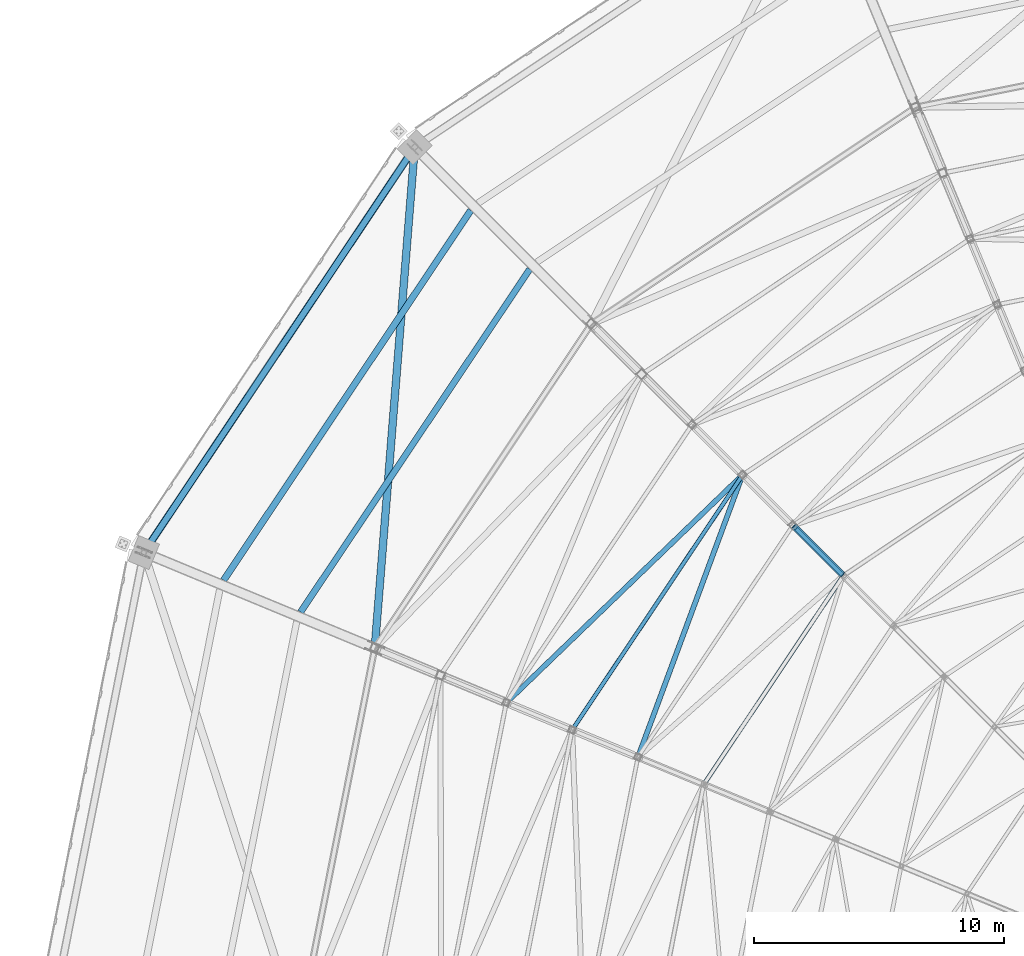
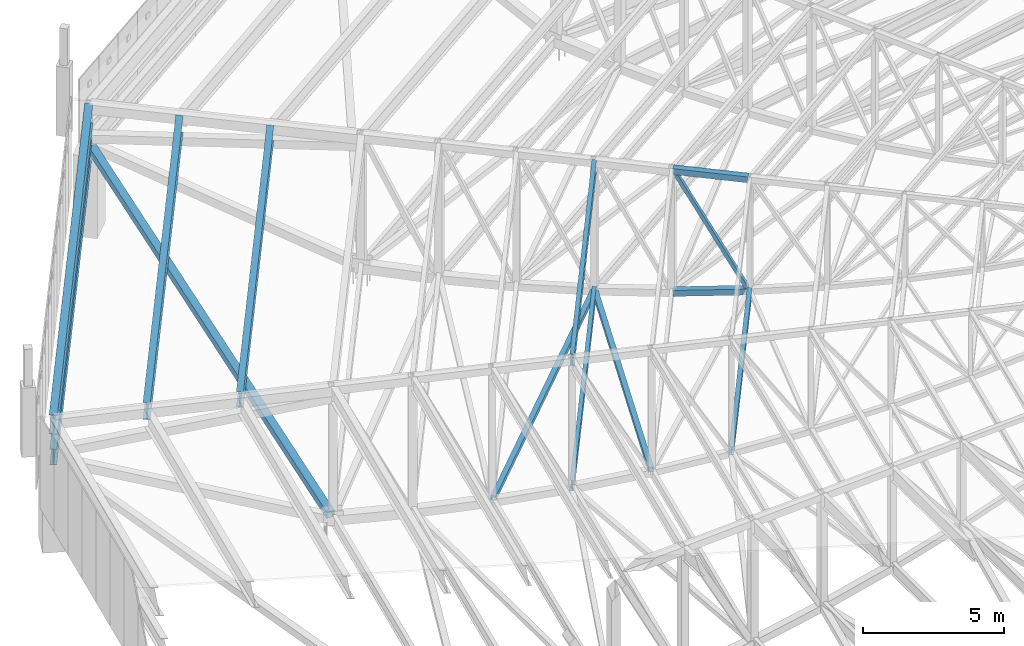
# One storey, part 69 of 278: 11 members, 2 beams.
"""IFC4 building model written with IfcOpenShell, lengths in metres."""

from ifc_helpers import new_model, si_unit, direction, frame, origin, origin_2d, place, context, subcontext, project, spatial, hollow_rectangle, i_section, extrude, material, material_profile, profile_set, type_object, element, save


model = new_model("IFC4")

# Units and contexts
model_context = context("Model", 3, precision=1e-05, world=origin(), true_north=direction((0.0, 1.0)))
body_context = subcontext(model_context, "Body", "Model", "MODEL_VIEW")
ifc_project = project(units=[si_unit("LENGTHUNIT", "METRE"), si_unit("AREAUNIT", "SQUARE_METRE"), si_unit("VOLUMEUNIT", "CUBIC_METRE"), si_unit("PLANEANGLEUNIT", "RADIAN"), si_unit("MASSUNIT", "GRAM", prefix="KILO")], contexts=[model_context])

# Site, building, storey
site_placement = place(None, origin())
site = spatial("IfcSite", under=ifc_project, at=site_placement, CompositionType="ELEMENT")
building_placement = place(site_placement, origin())
building = spatial("IfcBuilding", under=site, at=building_placement, Name="Ogive Plaza Stadium", CompositionType="ELEMENT")
storey_placement = place(building_placement, frame((0.0, 0.0, 29.0)))
storey = spatial("IfcBuildingStorey", under=building, at=storey_placement, Name="Roof", CompositionType="ELEMENT", Elevation=29.0)

# Members
ifc_material_1 = material(Name="Steel ASTM A500 Grade C", Category="steel")
ifc_material_profile_1 = material_profile(ifc_material_1, hollow_rectangle(XDim=0.3046875, YDim=0.3046875, WallThickness=0.0087890625, at=origin_2d()), Name="HSS12X12X3/8")
ifc_profile_set_1 = profile_set([ifc_material_profile_1], Name="Steel ASTM A500 Grade C")
member_type_1 = type_object("IfcMemberType", Name="Roof plan brace HSS12X12X3/8", PredefinedType="BRACE", material=ifc_profile_set_1)
member_1_placement = place(storey_placement, frame((-70.94091796875, 67.986328125, 0.234130859375), z_axis=(0.078381095725, 0.982279512354, 0.170245010036), x_axis=(-0.99683149372, 0.07954227259, 0.0)))
element("IfcMember", 1, at=member_1_placement, inside=storey, type_object=member_type_1, Name="ROOF BRACE B29 11", PredefinedType="BRACE", context=body_context, shape_type="SweptSolid", body=[
    extrude(hollow_rectangle(XDim=0.3046875, YDim=0.3046875, WallThickness=0.0087890625, at=origin_2d()), origin(), (0.0, 0.0, 1.0), 19.99072265625),
])
ifc_material_2 = material(Name="Steel ASTM A500 Grade C", Category="steel")
ifc_material_profile_2 = material_profile(ifc_material_2, hollow_rectangle(XDim=0.203125, YDim=0.203125, WallThickness=0.0087890625, at=origin_2d()), Name="HSS8X8X3/8")
ifc_profile_set_2 = profile_set([ifc_material_profile_2], Name="Steel ASTM A500 Grade C")
member_type_2 = type_object("IfcMemberType", Name="Roof plan brace HSS8X8X3/8", PredefinedType="BRACE", material=ifc_profile_set_2)
member_2_placement = place(storey_placement, frame((-60.387939453125, 63.539306640625, 1.176513671875), z_axis=(0.347181209149, 0.937056013796, -0.037299263035), x_axis=(-0.937708527297, 0.347422966763, 0.0)))
element("IfcMember", 2, at=member_2_placement, inside=storey, type_object=member_type_2, Name="ROOF BRACE B29 7", PredefinedType="BRACE", context=body_context, shape_type="SweptSolid", body=[
    extrude(hollow_rectangle(XDim=0.203125, YDim=0.203125, WallThickness=0.0087890625, at=origin_2d()), origin(), (0.0, 0.0, 1.0), 11.794921875),
])
member_3_placement = place(storey_placement, frame((-56.3095703125, 74.669921875, 0.728515625), z_axis=(-0.719689863912, -0.693929788979, -0.02253769617), x_axis=(0.694106096185, -0.719872715998, 0.0)))
element("IfcMember", 3, at=member_3_placement, inside=storey, type_object=member_type_2, Name="ROOF BRACE B29 8", PredefinedType="BRACE", context=body_context, shape_type="SweptSolid", body=[
    extrude(hollow_rectangle(XDim=0.203125, YDim=0.203125, WallThickness=0.0087890625, at=origin_2d()), origin(), (0.0, 0.0, 1.0), 12.8798828125),
])
ifc_material_3 = material(Name="Steel ASTM A992 Grade 50", Category="steel")
ifc_material_profile_3 = material_profile(ifc_material_3, i_section(OverallWidth=0.17138671875, OverallDepth=0.35498046875, WebThickness=0.00732421875, FlangeThickness=0.011474609375, at=origin_2d()), Name="W14X34")
ifc_profile_set_3 = profile_set([ifc_material_profile_3], Name="Steel ASTM A992 Grade 50")
member_type_3 = type_object("IfcMemberType", Name="Roof plan strut W14X34", PredefinedType="STRUT", material=ifc_profile_set_3)
member_4_placement = place(storey_placement, frame((-57.739501953125, 62.429443359375, 1.733154296875), z_axis=(0.55557361639, 0.831467351597, 0.0), x_axis=(-0.831467351597, 0.55557361639, 0.0)))
element("IfcMember", 4, at=member_4_placement, inside=storey, type_object=member_type_3, Name="ROOF STRUT B29 5", PredefinedType="STRUT", context=body_context, shape_type="SweptSolid", body=[
    extrude(i_section(OverallWidth=0.17138671875, OverallDepth=0.35498046875, WebThickness=0.00732421875, FlangeThickness=0.011474609375, at=origin_2d()), origin(), (0.0, 0.0, 1.0), 9.86572265625),
])
ifc_material_4 = material(Name="Steel ASTM A992 Grade 50", Category="steel")
ifc_material_profile_4 = material_profile(ifc_material_4, i_section(OverallWidth=0.15234375, OverallDepth=0.449462890625, WebThickness=0.007568359375, FlangeThickness=0.0107421875, at=origin_2d()), Name="W18X35")
ifc_profile_set_4 = profile_set([ifc_material_profile_4], Name="Steel ASTM A992 Grade 50")
member_type_4 = type_object("IfcMemberType", Name="Roof plan strut W18X35", PredefinedType="STRUT", material=ifc_profile_set_4)
member_5_placement = place(storey_placement, frame((-62.992431640625, 64.630615234375, 0.730712890625), z_axis=(0.555574800687, 0.831466560266, 0.0), x_axis=(-0.831466560266, 0.555574800687, 0.0)))
element("IfcMember", 5, at=member_5_placement, inside=storey, type_object=member_type_4, Name="ROOF STRUT B29 7", PredefinedType="STRUT", context=body_context, shape_type="SweptSolid", body=[
    extrude(i_section(OverallWidth=0.15234375, OverallDepth=0.449462890625, WebThickness=0.007568359375, FlangeThickness=0.0107421875, at=origin_2d()), origin(), (0.0, 0.0, 1.0), 12.0419921875),
])
ifc_material_5 = material(Name="Steel ASTM A992 Grade 50", Category="steel")
ifc_material_profile_5 = material_profile(ifc_material_5, i_section(OverallWidth=0.2529296875, OverallDepth=0.678466796875, WebThickness=0.01171875, FlangeThickness=0.016357421875, at=origin_2d()), Name="W27X84")
ifc_profile_set_5 = profile_set([ifc_material_profile_5], Name="Steel ASTM A992 Grade 50")
member_type_5 = type_object("IfcMemberType", Name="Roof plan strut W27X84", PredefinedType="STRUT", material=ifc_profile_set_5)
member_6_placement = place(storey_placement, frame((-80.13916015625, 71.71630859375, 3.677734375), z_axis=(0.555575120146, 0.831466346809, 0.0), x_axis=(-0.831466346809, 0.555575120146, 0.0)))
element("IfcMember", 6, at=member_6_placement, inside=storey, type_object=member_type_5, Name="ROOF STRUT B29 11", PredefinedType="STRUT", context=body_context, shape_type="SweptSolid", body=[
    extrude(i_section(OverallWidth=0.2529296875, OverallDepth=0.678466796875, WebThickness=0.01171875, FlangeThickness=0.016357421875, at=origin_2d()), origin(), (0.0, 0.0, 1.0), 19.3115234375),
])
ifc_material_6 = material(Name="Steel ASTM A992 Grade 50", Category="steel")
ifc_material_profile_6 = material_profile(ifc_material_6, i_section(OverallWidth=0.1650390625, OverallDepth=0.524658203125, WebThickness=0.0087890625, FlangeThickness=0.011474609375, at=origin_2d()), Name="W21X44")
ifc_profile_set_6 = profile_set([ifc_material_profile_6], Name="Steel ASTM A992 Grade 50")
member_type_6 = type_object("IfcMemberType", Name="Roof purlin W21X44", PredefinedType="PURLIN", material=ifc_profile_set_6)
member_7_placement = place(storey_placement, frame((-62.99169921875, 64.6318359375, 6.1650390625), z_axis=(0.555574992462, 0.831466432125, 0.0), x_axis=(-0.831466432125, 0.555574992462, 0.0)))
element("IfcMember", 7, at=member_7_placement, inside=storey, type_object=member_type_6, Name="ROOF PURLIN B29 7", PredefinedType="PURLIN", context=body_context, shape_type="SweptSolid", body=[
    extrude(i_section(OverallWidth=0.1650390625, OverallDepth=0.524658203125, WebThickness=0.0087890625, FlangeThickness=0.011474609375, at=origin_2d()), origin(), (0.0, 0.0, 1.0), 12.039306640625),
])
ifc_material_7 = material(Name="Steel ASTM A992 Grade 50", Category="steel")
ifc_material_profile_7 = material_profile(ifc_material_7, i_section(OverallWidth=0.2529296875, OverallDepth=0.678466796875, WebThickness=0.01171875, FlangeThickness=0.016357421875, at=origin_2d()), Name="W27X84")
ifc_profile_set_7 = profile_set([ifc_material_profile_7], Name="Steel ASTM A992 Grade 50")
member_type_7 = type_object("IfcMemberType", Name="Roof purlin W27X84", PredefinedType="PURLIN", material=ifc_profile_set_7)
member_8_placement = place(storey_placement, frame((-73.92236328125, 69.251220703125, 5.494140625), z_axis=(0.555570434046, 0.831469477981, 0.0), x_axis=(-0.831469477981, 0.555570434046, 0.0)))
element("IfcMember", 8, at=member_8_placement, inside=storey, type_object=member_type_7, Name="ROOF PURLIN B29 11", PredefinedType="PURLIN", context=body_context, shape_type="SweptSolid", body=[
    extrude(i_section(OverallWidth=0.2529296875, OverallDepth=0.678466796875, WebThickness=0.01171875, FlangeThickness=0.016357421875, at=origin_2d()), origin(), (0.0, 0.0, 1.0), 16.503173828125),
])
ifc_material_8 = material(Name="Steel ASTM A992 Grade 50", Category="steel")
ifc_material_profile_8 = material_profile(ifc_material_8, i_section(OverallWidth=0.26416015625, OverallDepth=0.75, WebThickness=0.011962890625, FlangeThickness=0.015380859375, at=origin_2d()), Name="W30X90")
ifc_profile_set_8 = profile_set([ifc_material_profile_8], Name="Steel ASTM A992 Grade 50")
member_type_8 = type_object("IfcMemberType", Name="Roof purlin W30X90", PredefinedType="PURLIN", material=ifc_profile_set_8)
member_9_placement = place(storey_placement, frame((-77.00146484375, 70.52783203125, 5.291748046875), z_axis=(0.555579732472, 0.831463264893, 0.0), x_axis=(-0.831463264893, 0.555579732472, 0.0)))
element("IfcMember", 9, at=member_9_placement, inside=storey, type_object=member_type_8, Name="ROOF PURLIN B29 12", PredefinedType="PURLIN", context=body_context, shape_type="SweptSolid", body=[
    extrude(i_section(OverallWidth=0.26416015625, OverallDepth=0.75, WebThickness=0.011962890625, FlangeThickness=0.015380859375, at=origin_2d()), origin(), (0.0, 0.0, 1.0), 17.801513671875),
])
ifc_material_9 = material(Name="Steel ASTM A992 Grade 50", Category="steel")
ifc_material_profile_9 = material_profile(ifc_material_9, i_section(OverallWidth=0.2919921875, OverallDepth=0.834716796875, WebThickness=0.013916015625, FlangeThickness=0.018798828125, at=origin_2d()), Name="W33X118")
ifc_profile_set_9 = profile_set([ifc_material_profile_9], Name="Steel ASTM A992 Grade 50")
member_type_9 = type_object("IfcMemberType", Name="Roof purlin W33X118", PredefinedType="PURLIN", material=ifc_profile_set_9)
member_10_placement = place(storey_placement, frame((-80.136962890625, 71.719482421875, 5.082763671875), z_axis=(0.55556963677, 0.831470010703, 0.0), x_axis=(-0.831470010703, 0.55556963677, 0.0)))
element("IfcMember", 10, at=member_10_placement, inside=storey, type_object=member_type_9, Name="ROOF PURLIN B29 13", PredefinedType="PURLIN", context=body_context, shape_type="SweptSolid", body=[
    extrude(i_section(OverallWidth=0.2919921875, OverallDepth=0.834716796875, WebThickness=0.013916015625, FlangeThickness=0.018798828125, at=origin_2d()), origin(), (0.0, 0.0, 1.0), 19.3037109375),
])

# Beam
ifc_material_10 = material(Name="Steel ASTM A500 Grade C", Category="steel")
ifc_material_profile_10 = material_profile(ifc_material_10, hollow_rectangle(XDim=0.25390625, YDim=0.25390625, WallThickness=0.01171875, at=origin_2d()), Name="HSS10X10X1/2")
ifc_profile_set_10 = profile_set([ifc_material_profile_10], Name="Steel ASTM A500 Grade C")
beam_type_1 = type_object("IfcBeamType", Name="Roof truss bottom chord HSS10X10X1/2", PredefinedType="BEAM", material=ifc_profile_set_10)
beam_1_placement = place(storey_placement, frame((-52.2412109375, 70.7412109375, 1.726318359375), z_axis=(-0.692987168322, 0.692987168322, -0.198840561966), x_axis=(-0.707106781187, -0.707106781187, 0.0)))
element("IfcBeam", 11, at=beam_1_placement, inside=storey, type_object=beam_type_1, Name="ROOF TRUSS T30 BOTTOM CHORD 6", PredefinedType="BEAM", context=body_context, shape_type="SweptSolid", body=[
    extrude(hollow_rectangle(XDim=0.25390625, YDim=0.25390625, WallThickness=0.01171875, at=origin_2d()), origin(), (0.0, 0.0, 1.0), 2.809326171875),
])

# Member
ifc_material_11 = material(Name="Steel ASTM A500 Grade C", Category="steel")
ifc_material_profile_11 = material_profile(ifc_material_11, hollow_rectangle(XDim=0.15234375, YDim=0.15234375, WallThickness=0.0087890625, at=origin_2d()), Name="HSS6X6X3/8")
ifc_profile_set_11 = profile_set([ifc_material_profile_11], Name="Steel ASTM A500 Grade C")
member_type_10 = type_object("IfcMemberType", Name="Roof truss diagonal HSS6X6X3/8", PredefinedType="BRACE", material=ifc_profile_set_11)
member_11_placement = place(storey_placement, frame((-52.27978515625, 70.77978515625, 1.8603515625), z_axis=(-0.358587564361, 0.358587564361, 0.861875813195), x_axis=(-0.707106781187, -0.707106781187, 0.0)))
element("IfcMember", 12, at=member_11_placement, inside=storey, type_object=member_type_10, Name="ROOF TRUSS T30 DIAGONAL 6", PredefinedType="BRACE", context=body_context, shape_type="SweptSolid", body=[
    extrude(hollow_rectangle(XDim=0.15234375, YDim=0.15234375, WallThickness=0.0087890625, at=origin_2d()), origin(), (0.0, 0.0, 1.0), 5.169677734375),
])

# Beam
ifc_material_12 = material(Name="Steel ASTM A500 Grade C", Category="steel")
ifc_material_profile_12 = material_profile(ifc_material_12, hollow_rectangle(XDim=0.25390625, YDim=0.25390625, WallThickness=0.0087890625, at=origin_2d()), Name="HSS10X10X3/8")
ifc_profile_set_12 = profile_set([ifc_material_profile_12], Name="Steel ASTM A500 Grade C")
beam_type_2 = type_object("IfcBeamType", Name="Roof truss top chord HSS10X10X3/8", PredefinedType="BEAM", material=ifc_profile_set_12)
beam_2_placement = place(storey_placement, frame((-52.243408203125, 70.743408203125, 6.582763671875), z_axis=(-0.706225209818, 0.706225209818, -0.049918994743), x_axis=(-0.707106781187, -0.707106781187, 0.0)))
element("IfcBeam", 13, at=beam_2_placement, inside=storey, type_object=beam_type_2, Name="ROOF TRUSS T30 TOP CHORD 6", PredefinedType="BEAM", context=body_context, shape_type="SweptSolid", body=[
    extrude(hollow_rectangle(XDim=0.25390625, YDim=0.25390625, WallThickness=0.0087890625, at=origin_2d()), origin(), (0.0, 0.0, 1.0), 2.75341796875),
])

save(model, "model.ifc")
